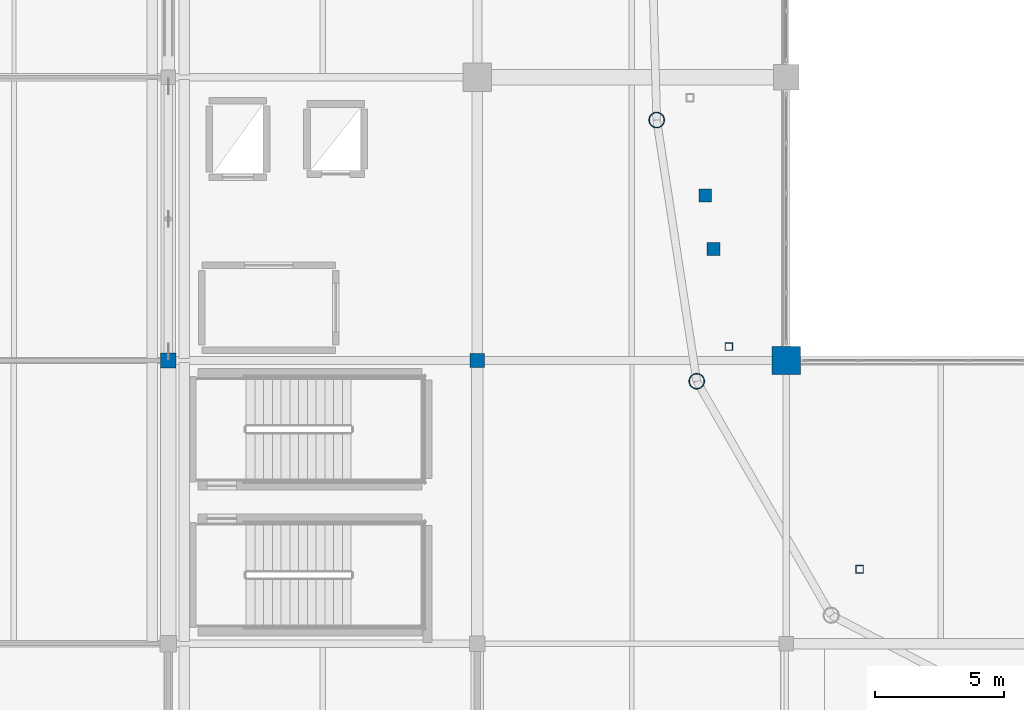
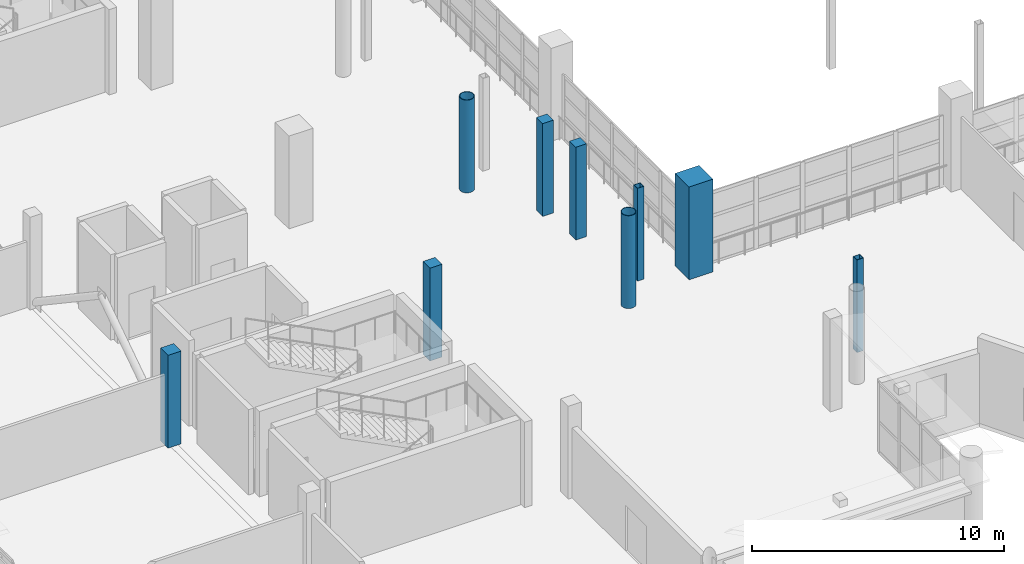
# One storey, part 2 of 118: 9 columns.
"""IFC4 building model written with IfcOpenShell, lengths in metres."""

from ifc_helpers import new_model, si_unit, direction, frame, origin, origin_2d, place, context, subcontext, project, spatial, rectangle, hollow_rectangle, hollow_circle, extrude, material, material_profile, profile_set, type_object, element, save


model = new_model("IFC4")

# Units and contexts
model_context = context("Model", 3, precision=1e-05, world=origin(), true_north=direction((0.0, 1.0)))
body_context = subcontext(model_context, "Body", "Model", "MODEL_VIEW")
ifc_project = project(units=[si_unit("LENGTHUNIT", "METRE"), si_unit("AREAUNIT", "SQUARE_METRE"), si_unit("VOLUMEUNIT", "CUBIC_METRE"), si_unit("PLANEANGLEUNIT", "RADIAN"), si_unit("MASSUNIT", "GRAM", prefix="KILO")], contexts=[model_context])

# Site, building, storey
site_placement = place(None, origin())
site = spatial("IfcSite", under=ifc_project, at=site_placement, CompositionType="ELEMENT")
building_placement = place(site_placement, origin())
building = spatial("IfcBuilding", under=site, at=building_placement, Name="Luwafu Chhajja Arena", CompositionType="ELEMENT")
storey_placement = place(building_placement, frame((0.0, 0.0, 10.199951171875)))
storey = spatial("IfcBuildingStorey", under=building, at=storey_placement, Name="L02", CompositionType="ELEMENT", Elevation=10.199951171875)

# Columns
ifc_material_1 = material(Name="Concrete C40/50", Category="concrete")
ifc_material_profile_1 = material_profile(ifc_material_1, rectangle(XDim=1.10009765625, YDim=1.10009765625, at=origin_2d()), Name="RC 1100x1100")
ifc_profile_set_1 = profile_set([ifc_material_profile_1], Name="Concrete C40/50")
column_type_1 = type_object("IfcColumnType", Name="Bowl Rim Mega Column RC 1100", PredefinedType="COLUMN", material=ifc_profile_set_1)
column_1_placement = place(storey_placement, frame((58.0, 22.0, 0.0), z_axis=(0.0, 0.0, 1.0), x_axis=(1.0, 0.0, 0.0)))
element("IfcColumn", 1, at=column_1_placement, inside=storey, type_object=column_type_1, Name="L02 Grid Column 6/C", PredefinedType="COLUMN", context=body_context, shape_type="SweptSolid", body=[
    extrude(rectangle(XDim=1.10009765625, YDim=1.10009765625, at=origin_2d()), origin(), (0.0, 0.0, 1.0), 4.5),
])
ifc_material_2 = material(Name="Concrete C35/45", Category="concrete")
ifc_material_profile_2 = material_profile(ifc_material_2, rectangle(XDim=0.550048828125, YDim=0.550048828125, at=origin_2d()), Name="RC 550x550")
ifc_profile_set_2 = profile_set([ifc_material_profile_2], Name="Concrete C35/45")
column_type_2 = type_object("IfcColumnType", Name="Gallery Column RC 550", PredefinedType="COLUMN", material=ifc_profile_set_2)
column_2_placement = place(storey_placement, frame((46.0, 22.0, 0.0), z_axis=(0.0, 0.0, 1.0), x_axis=(1.0, 0.0, 0.0)))
element("IfcColumn", 2, at=column_2_placement, inside=storey, type_object=column_type_2, Name="L02 Grid Column 5/C", PredefinedType="COLUMN", context=body_context, shape_type="SweptSolid", body=[
    extrude(rectangle(XDim=0.550048828125, YDim=0.550048828125, at=origin_2d()), origin(), (0.0, 0.0, 1.0), 4.5),
])
ifc_material_profile_3 = material_profile(ifc_material_2, rectangle(XDim=0.60009765625, YDim=0.60009765625, at=origin_2d()), Name="RC 600x600")
ifc_profile_set_3 = profile_set([ifc_material_profile_3], Name="Concrete C35/45")
column_type_3 = type_object("IfcColumnType", Name="Mezzanine Column RC 600", PredefinedType="COLUMN", material=ifc_profile_set_3)
column_3_placement = place(storey_placement, frame((34.0, 22.0, 0.0), z_axis=(0.0, 0.0, 1.0), x_axis=(1.0, 0.0, 0.0)))
element("IfcColumn", 3, at=column_3_placement, inside=storey, type_object=column_type_3, Name="L02 Grid Column 4/C", PredefinedType="COLUMN", context=body_context, shape_type="SweptSolid", body=[
    extrude(rectangle(XDim=0.60009765625, YDim=0.60009765625, at=origin_2d()), origin(), (0.0, 0.0, 1.0), 4.5),
])
ifc_material_profile_4 = material_profile(ifc_material_2, rectangle(XDim=0.5, YDim=0.5, at=origin_2d()), Name="RC 500x500")
ifc_profile_set_4 = profile_set([ifc_material_profile_4], Name="Concrete C35/45")
column_type_4 = type_object("IfcColumnType", Name="Pavilion Column RC 500", PredefinedType="COLUMN", material=ifc_profile_set_4)
for number, where, z_axis, x_axis, name in (
    (4, (54.854248046875, 28.41015625, 0.0), (0.0, 0.0, 1.0), (1.0, 0.0, 0.0), "L02 Vomitory Stack Column VU19A"),
    (5, (55.178955078125, 26.33544921875, 0.0), (0.0, 0.0, 1.0), (1.0, 0.0, 0.0), "L02 Vomitory Stack Column VU19B"),
):
    element("IfcColumn", number, at=place(storey_placement, frame(where, z_axis=z_axis, x_axis=x_axis)), inside=storey, type_object=column_type_4, Name=name, PredefinedType="COLUMN", context=body_context, shape_type="SweptSolid", body=[
        extrude(rectangle(XDim=0.5, YDim=0.5, at=origin_2d()), origin(), (0.0, 0.0, 1.0), 4.5),
    ])
ifc_material_3 = material(Name="Steel S355", Category="steel")
ifc_material_profile_5 = material_profile(ifc_material_3, hollow_circle(Radius=0.304931640625, WallThickness=0.02490234375, at=origin_2d()), Name="CHS 610x25")
ifc_profile_set_5 = profile_set([ifc_material_profile_5], Name="Steel S355")
column_type_5 = type_object("IfcColumnType", Name="Steel Bowl Drum Column CHS 610", PredefinedType="COLUMN", material=ifc_profile_set_5)
for number, where, z_axis, x_axis, name in (
    (6, (52.968017578125, 31.3388671875, 0.0), (0.0, 0.0, 1.0), (1.0, 0.0, 0.0), "L02 Bowl Drum Column D19"),
    (7, (54.52392578125, 21.194091796875, 0.0), (0.0, 0.0, 1.0), (1.0, 0.0, 0.0), "L02 Bowl Drum Column D20"),
):
    element("IfcColumn", number, at=place(storey_placement, frame(where, z_axis=z_axis, x_axis=x_axis)), inside=storey, type_object=column_type_5, Name=name, PredefinedType="COLUMN", context=body_context, shape_type="SweptSolid", body=[
        extrude(hollow_circle(Radius=0.304931640625, WallThickness=0.02490234375, at=origin_2d()), origin(), (0.0, 0.0, 1.0), 4.5),
    ])
ifc_material_profile_6 = material_profile(ifc_material_3, hollow_rectangle(XDim=0.300048828125, YDim=0.300048828125, WallThickness=0.01611328125, at=origin_2d()), Name="SHS 300x300x16")
ifc_profile_set_6 = profile_set([ifc_material_profile_6], Name="Steel S355")
column_type_6 = type_object("IfcColumnType", Name="Steel Gallery Post SHS 300", PredefinedType="COLUMN", material=ifc_profile_set_6)
for number, where, z_axis, x_axis, name in (
    (8, (55.772705078125, 22.5419921875, 0.0), (0.0, 0.0, 1.0), (1.0, 0.0, 0.0), "L02 Upper Bowl Raker Column UO20"),
    (9, (60.84619140625, 13.8896484375, 0.0), (0.0, 0.0, 1.0), (1.0, 0.0, 0.0), "L02 Upper Bowl Raker Column UO21"),
):
    element("IfcColumn", number, at=place(storey_placement, frame(where, z_axis=z_axis, x_axis=x_axis)), inside=storey, type_object=column_type_6, Name=name, PredefinedType="COLUMN", context=body_context, shape_type="SweptSolid", body=[
        extrude(hollow_rectangle(XDim=0.300048828125, YDim=0.300048828125, WallThickness=0.01611328125, at=origin_2d()), origin(), (0.0, 0.0, 1.0), 4.5),
    ])

save(model, "model.ifc")
